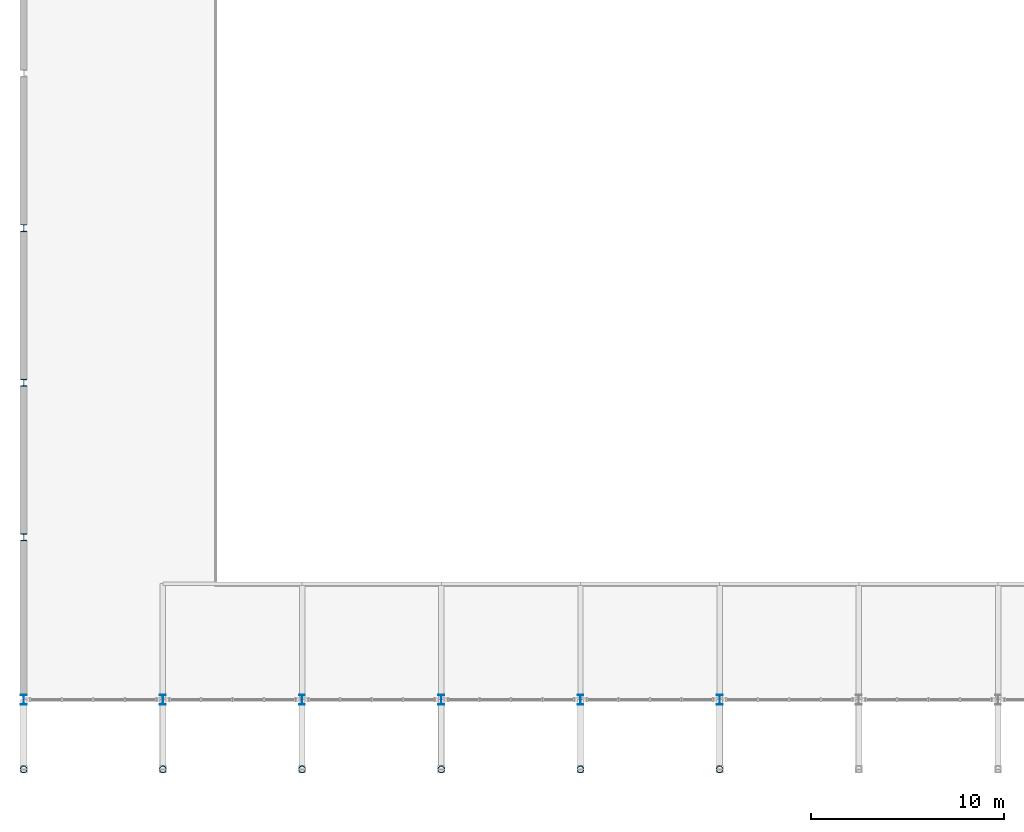
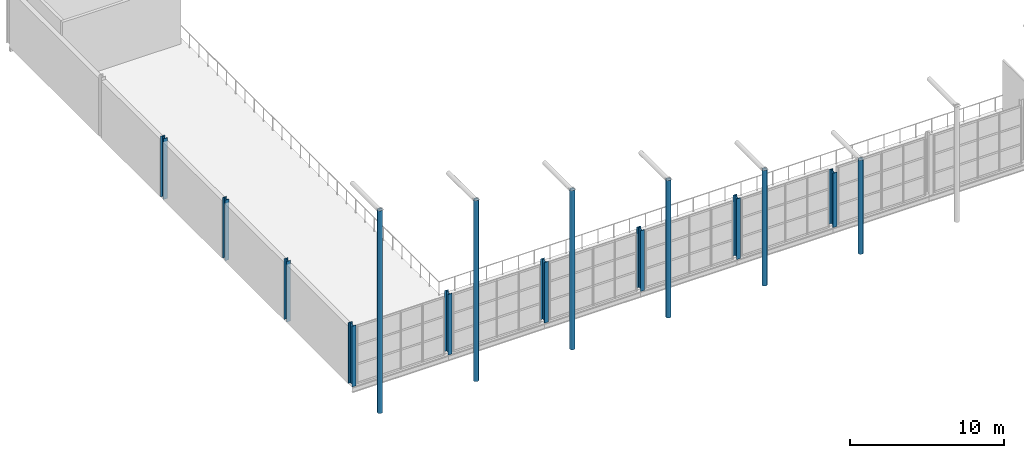
# One storey, part 1 of 143: 15 columns.
"""IFC4 building model written with IfcOpenShell, lengths in metres."""

from ifc_helpers import new_model, si_unit, derived_unit, direction, frame, origin, origin_2d, place, context, subcontext, project, spatial, hollow_circle, i_section, extrude, material, material_profile, profile_set, type_object, element, save


model = new_model("IFC4")

# Units and contexts
model_context = context("Model", 3, precision=1e-05, world=origin(), true_north=direction((0.0, 1.0)))
body_context = subcontext(model_context, "Body", "Model", "MODEL_VIEW")
ifc_project = project(units=[si_unit("LENGTHUNIT", "METRE"), si_unit("AREAUNIT", "SQUARE_METRE"), si_unit("VOLUMEUNIT", "CUBIC_METRE"), si_unit("PLANEANGLEUNIT", "RADIAN"), si_unit("MASSUNIT", "GRAM", prefix="KILO"), derived_unit("THERMALTRANSMITTANCEUNIT", [(si_unit("POWERUNIT", "WATT"), 1), (si_unit("LENGTHUNIT", "METRE"), -2), (si_unit("THERMODYNAMICTEMPERATUREUNIT", "KELVIN"), -1)])], contexts=[model_context])

# Site, building, storey
site_placement = place(None, origin())
site = spatial("IfcSite", under=ifc_project, at=site_placement, CompositionType="ELEMENT")
building_placement = place(site_placement, origin())
building = spatial("IfcBuilding", under=site, at=building_placement, Name="Keldorne Ridge Multi-Sports Centre", CompositionType="ELEMENT")
storey_placement = place(building_placement, frame((0.0, 0.0, 4.800048828125)))
storey = spatial("IfcBuildingStorey", under=building, at=storey_placement, Name="L01", CompositionType="ELEMENT", Elevation=4.800048828125)

# Columns
ifc_material = material(Name="Steel S355", Category="steel")
ifc_material_profile_1 = material_profile(ifc_material, hollow_circle(Radius=0.177734375, WallThickness=0.01611328125, at=origin_2d()), Name="CHS 355.6x16")
ifc_profile_set_1 = profile_set([ifc_material_profile_1], Name="Steel S355")
column_type_1 = type_object("IfcColumnType", Name="COL-C-03", PredefinedType="PILASTER", material=ifc_profile_set_1)
column_1_placement = place(storey_placement, frame((6.0, 6.0, 0.0), z_axis=(0.0, 0.0, 1.0), x_axis=(1.0, 0.0, 0.0)))
element("IfcColumn", 1, at=column_1_placement, inside=storey, type_object=column_type_1, Name="Structural column V1-COLN-01 on L01", PredefinedType="PILASTER", context=body_context, shape_type="SweptSolid", body=[
    extrude(hollow_circle(Radius=0.177734375, WallThickness=0.01611328125, at=origin_2d()), origin(), (0.0, 0.0, 1.0), 16.050048828125),
])
column_2_placement = place(storey_placement, frame((13.199951171875, 6.0, 0.0), z_axis=(0.0, 0.0, 1.0), x_axis=(1.0, 0.0, 0.0)))
element("IfcColumn", 2, at=column_2_placement, inside=storey, type_object=column_type_1, Name="Structural column V1-COLN-02 on L01", PredefinedType="PILASTER", context=body_context, shape_type="SweptSolid", body=[
    extrude(hollow_circle(Radius=0.177734375, WallThickness=0.01611328125, at=origin_2d()), origin(), (0.0, 0.0, 1.0), 14.329833984375),
])
column_3_placement = place(storey_placement, frame((20.39990234375, 6.0, 0.0), z_axis=(0.0, 0.0, 1.0), x_axis=(1.0, 0.0, 0.0)))
element("IfcColumn", 3, at=column_3_placement, inside=storey, type_object=column_type_1, Name="Structural column V1-COLN-03 on L01", PredefinedType="PILASTER", context=body_context, shape_type="SweptSolid", body=[
    extrude(hollow_circle(Radius=0.177734375, WallThickness=0.01611328125, at=origin_2d()), origin(), (0.0, 0.0, 1.0), 12.60986328125),
])
column_4_placement = place(storey_placement, frame((27.60009765625, 6.0, 0.0), z_axis=(0.0, 0.0, 1.0), x_axis=(1.0, 0.0, 0.0)))
element("IfcColumn", 4, at=column_4_placement, inside=storey, type_object=column_type_1, Name="Structural column V1-COLN-04 on L01", PredefinedType="PILASTER", context=body_context, shape_type="SweptSolid", body=[
    extrude(hollow_circle(Radius=0.177734375, WallThickness=0.01611328125, at=origin_2d()), origin(), (0.0, 0.0, 1.0), 10.889892578125),
])
column_5_placement = place(storey_placement, frame((34.800048828125, 6.0, 0.0), z_axis=(0.0, 0.0, 1.0), x_axis=(1.0, 0.0, 0.0)))
element("IfcColumn", 5, at=column_5_placement, inside=storey, type_object=column_type_1, Name="Structural column V1-COLN-05 on L01", PredefinedType="PILASTER", context=body_context, shape_type="SweptSolid", body=[
    extrude(hollow_circle(Radius=0.177734375, WallThickness=0.01611328125, at=origin_2d()), origin(), (0.0, 0.0, 1.0), 9.169921875),
])
column_6_placement = place(storey_placement, frame((42.0, 6.0, 0.0), z_axis=(0.0, 0.0, 1.0), x_axis=(1.0, 0.0, 0.0)))
element("IfcColumn", 6, at=column_6_placement, inside=storey, type_object=column_type_1, Name="Structural column V1-COLN-06 on L01", PredefinedType="PILASTER", context=body_context, shape_type="SweptSolid", body=[
    extrude(hollow_circle(Radius=0.177734375, WallThickness=0.01611328125, at=origin_2d()), origin(), (0.0, 0.0, 1.0), 7.449951171875),
])
ifc_material_profile_2 = material_profile(ifc_material, i_section(OverallWidth=0.300048828125, OverallDepth=0.5, WebThickness=0.014404296875, FlangeThickness=0.028076171875, FilletRadius=0.027099609375, at=origin_2d()), Name="HEB 500")
ifc_profile_set_2 = profile_set([ifc_material_profile_2], Name="Steel S355")
column_type_2 = type_object("IfcColumnType", Name="COL-C-05", PredefinedType="COLUMN", material=ifc_profile_set_2)
for number, where, z_axis, x_axis, name in (
    (7, (6.0, 9.60009765625, 0.0), (0.0, 0.0, 1.0), (1.0, 0.0, 0.0), "Structural column V1-HALL-S-01 on L01"),
    (8, (13.199951171875, 9.60009765625, 0.0), (0.0, 0.0, 1.0), (1.0, 0.0, 0.0), "Structural column V1-HALL-S-02 on L01"),
    (9, (20.39990234375, 9.60009765625, 0.0), (0.0, 0.0, 1.0), (1.0, 0.0, 0.0), "Structural column V1-HALL-S-03 on L01"),
    (10, (27.60009765625, 9.60009765625, 0.0), (0.0, 0.0, 1.0), (1.0, 0.0, 0.0), "Structural column V1-HALL-S-04 on L01"),
    (11, (34.800048828125, 9.60009765625, 0.0), (0.0, 0.0, 1.0), (1.0, 0.0, 0.0), "Structural column V1-HALL-S-05 on L01"),
):
    element("IfcColumn", number, at=place(storey_placement, frame(where, z_axis=z_axis, x_axis=x_axis)), inside=storey, type_object=column_type_2, Name=name, PredefinedType="COLUMN", context=body_context, shape_type="SweptSolid", body=[
        extrude(i_section(OverallWidth=0.300048828125, OverallDepth=0.5, WebThickness=0.014404296875, FlangeThickness=0.028076171875, FilletRadius=0.027099609375, at=origin_2d()), origin(), (0.0, 0.0, 1.0), 4.800048828125),
    ])
column_7_placement = place(storey_placement, frame((42.0, 9.60009765625, 0.0), z_axis=(0.0, 0.0, 1.0), x_axis=(1.0, 0.0, 0.0)))
element("IfcColumn", 12, at=column_7_placement, inside=storey, type_object=column_type_2, Name="Structural column V1-HALL-S-06 on L01", PredefinedType="COLUMN", context=body_context, shape_type="SweptSolid", body=[
    extrude(i_section(OverallWidth=0.300048828125, OverallDepth=0.5, WebThickness=0.014404296875, FlangeThickness=0.028076171875, FilletRadius=0.027099609375, at=origin_2d()), origin(), (0.0, 0.0, 1.0), 4.300048828125),
])
ifc_material_profile_3 = material_profile(ifc_material, i_section(OverallWidth=0.300048828125, OverallDepth=0.360107421875, WebThickness=0.012451171875, FlangeThickness=0.0224609375, FilletRadius=0.027099609375, at=origin_2d()), Name="HEB 360")
ifc_profile_set_3 = profile_set([ifc_material_profile_3], Name="Steel S355")
column_type_3 = type_object("IfcColumnType", Name="COL-C-10", PredefinedType="COLUMN", material=ifc_profile_set_3)
for number, where, z_axis, x_axis, name in (
    (13, (6.0, 18.0, 0.0), (0.0, 0.0, 1.0), (1.0, 0.0, 0.0), "Structural column V1-GABLE-W-01 on L01"),
    (14, (6.0, 26.0, 0.0), (0.0, 0.0, 1.0), (1.0, 0.0, 0.0), "Structural column V1-GABLE-W-02 on L01"),
    (15, (6.0, 34.0, 0.0), (0.0, 0.0, 1.0), (1.0, 0.0, 0.0), "Structural column V1-GABLE-W-03 on L01"),
):
    element("IfcColumn", number, at=place(storey_placement, frame(where, z_axis=z_axis, x_axis=x_axis)), inside=storey, type_object=column_type_3, Name=name, PredefinedType="COLUMN", context=body_context, shape_type="SweptSolid", body=[
        extrude(i_section(OverallWidth=0.300048828125, OverallDepth=0.360107421875, WebThickness=0.012451171875, FlangeThickness=0.0224609375, FilletRadius=0.027099609375, at=origin_2d()), origin(), (0.0, 0.0, 1.0), 4.800048828125),
    ])

save(model, "model.ifc")
